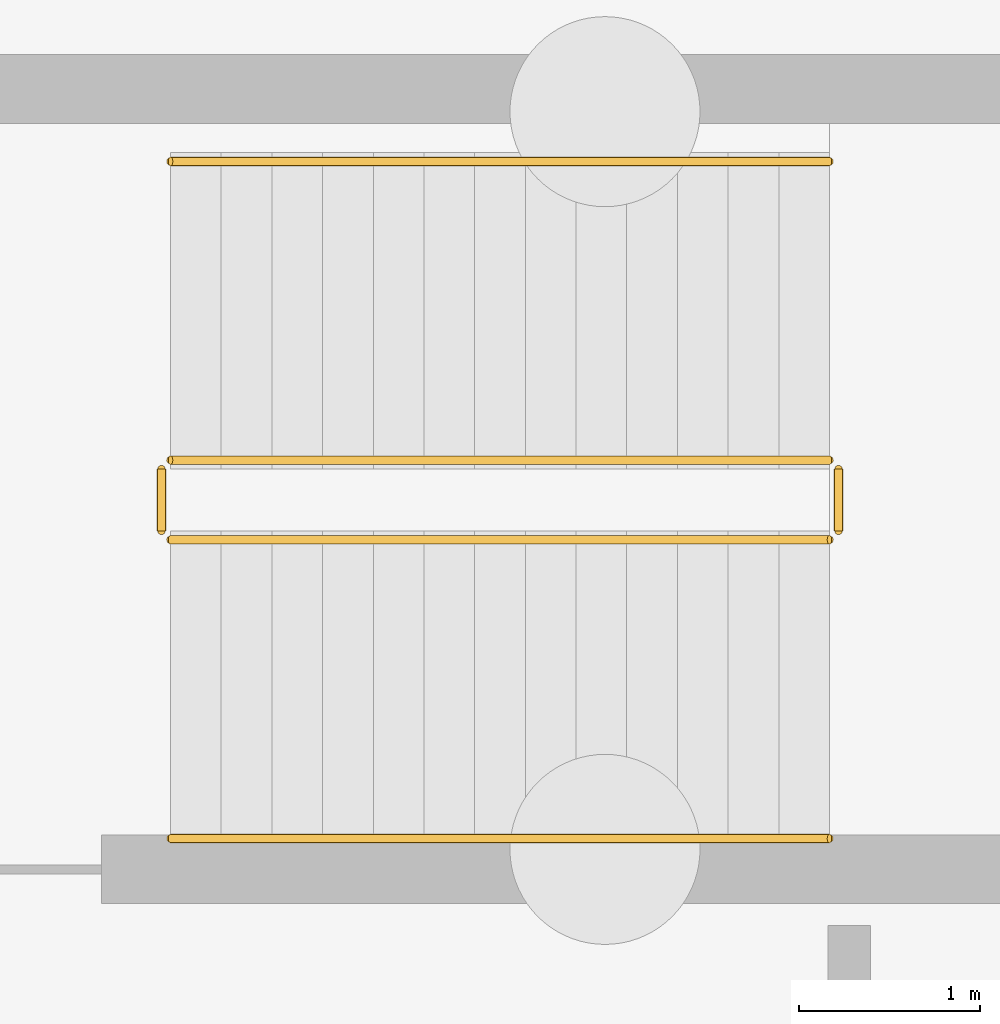
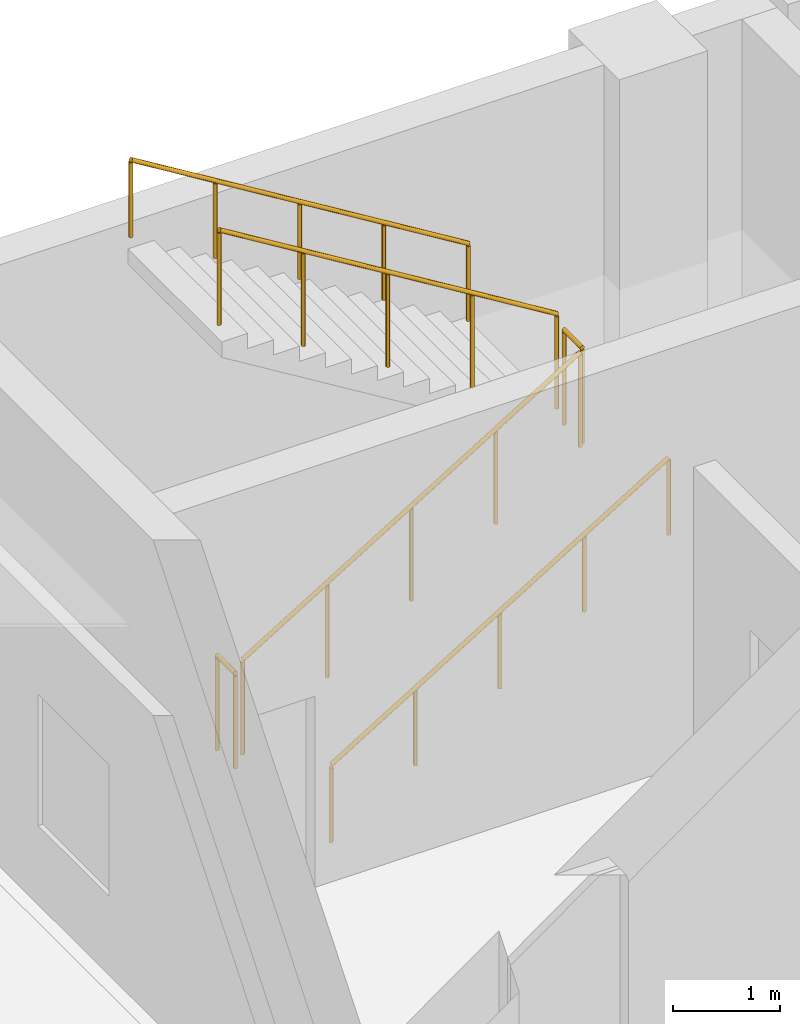
# One storey, part 11 of 12: 6 railings.
"""IFC4 building model written with IfcOpenShell, lengths in metres."""

from ifc_helpers import new_model, si_unit, direction, frame, origin, origin_2d, place, context, subcontext, project, spatial, circle, extrude, material, layer, layer_set, type_object, element, save


model = new_model("IFC4")

# Units and contexts
model_context = context("Model", 3, precision=1e-05, world=origin(), true_north=direction((0.0, 1.0)))
body_context = subcontext(model_context, "Body", "Model", "MODEL_VIEW")
ifc_project = project(units=[si_unit("LENGTHUNIT", "METRE"), si_unit("AREAUNIT", "SQUARE_METRE"), si_unit("VOLUMEUNIT", "CUBIC_METRE"), si_unit("PLANEANGLEUNIT", "RADIAN"), si_unit("MASSUNIT", "GRAM", prefix="KILO")], contexts=[model_context])

# Site, building, storey
site_placement = place(None, origin())
site = spatial("IfcSite", under=ifc_project, at=site_placement, CompositionType="ELEMENT")
building_placement = place(site_placement, origin())
building = spatial("IfcBuilding", under=site, at=building_placement, Name="Zulmaris Art Gallery", CompositionType="ELEMENT")
storey_placement = place(building_placement, frame((0.0, 0.0, -4.800048828125)))
storey = spatial("IfcBuildingStorey", under=building, at=storey_placement, Name="B1", CompositionType="ELEMENT", Elevation=-4.800048828125)

# Railings
ifc_material_1 = material(Name="Steel S355J2", Category="steel")
ifc_layer_1 = layer(ifc_material_1, 0.050048828125)
ifc_layer_set_1 = layer_set([ifc_layer_1], Name="Steel S355J2")
railing_type_1 = type_object("IfcRailingType", Name="RAIL-STGRD", PredefinedType="GUARDRAIL", material=ifc_layer_set_1)
railing_1_placement = place(storey_placement, frame((186.300048828125, 73.110107421875, 0.17138671875)))
element("IfcRailing", 1, at=railing_1_placement, inside=storey, type_object=railing_type_1, Name="B1 ST4 stair guard 1", PredefinedType="GUARDRAIL", context=body_context, shape_type="SweptSolid", body=[
    extrude(circle(Radius=0.02392578125, at=origin_2d()), frame((0.0, 0.0, 1.076171875), z_axis=(0.852824790078, 0.0, 0.522197163366), x_axis=(0.0, 1.0, 0.0)), (0.0, 0.0, 1.0), 4.26806640625),
    extrude(circle(Radius=0.02099609375, at=origin_2d()), origin(), (0.0, 0.0, 1.0), 1.052001953125),
    extrude(circle(Radius=0.02099609375, at=origin_2d()), frame((0.909912109375, 0.0, 0.55712890625)), (0.0, 0.0, 1.0), 1.052001953125),
    extrude(circle(Radius=0.02099609375, at=origin_2d()), frame((1.81982421875, 0.0, 1.1142578125)), (0.0, 0.0, 1.0), 1.052001953125),
    extrude(circle(Radius=0.02099609375, at=origin_2d()), frame((2.72998046875, 0.0, 1.671630859375)), (0.0, 0.0, 1.0), 1.052001953125),
    extrude(circle(Radius=0.02099609375, at=origin_2d()), frame((3.639892578125, 0.0, 2.228759765625)), (0.0, 0.0, 1.0), 1.052001953125),
])
railing_2_placement = place(storey_placement, frame((189.989990234375, 73.159912109375, 2.400146484375)))
element("IfcRailing", 2, at=railing_2_placement, inside=storey, type_object=railing_type_1, Name="B1 ST4 stair guard 2", PredefinedType="GUARDRAIL", context=body_context, shape_type="SweptSolid", body=[
    extrude(circle(Radius=0.02392578125, at=origin_2d()), frame((0.0, 0.0, 1.076171875), z_axis=(0.0, 1.0, 0.0), x_axis=(-1.0, 0.0, 0.0)), (0.0, 0.0, 1.0), 0.340087890625),
    extrude(circle(Radius=0.02099609375, at=origin_2d()), origin(), (0.0, 0.0, 1.0), 1.052001953125),
    extrude(circle(Radius=0.02099609375, at=origin_2d()), frame((0.0, 0.340087890625, 0.0)), (0.0, 0.0, 1.0), 1.052001953125),
])
railing_3_placement = place(storey_placement, frame((189.93994140625, 73.550048828125, 2.571533203125)))
element("IfcRailing", 3, at=railing_3_placement, inside=storey, type_object=railing_type_1, Name="B1 ST4 stair guard 3", PredefinedType="GUARDRAIL", context=body_context, shape_type="SweptSolid", body=[
    extrude(circle(Radius=0.02392578125, at=origin_2d()), frame((0.0, 0.0, 1.076171875), z_axis=(-0.852850264322, 0.0, 0.5221555579), x_axis=(0.0, -1.0, 0.0)), (0.0, 0.0, 1.0), 4.267822265625),
    extrude(circle(Radius=0.02099609375, at=origin_2d()), origin(), (0.0, 0.0, 1.0), 1.052001953125),
    extrude(circle(Radius=0.02099609375, at=origin_2d()), frame((-0.909912109375, 0.0, 0.55712890625)), (0.0, 0.0, 1.0), 1.052001953125),
    extrude(circle(Radius=0.02099609375, at=origin_2d()), frame((-1.81982421875, 0.0, 1.1142578125)), (0.0, 0.0, 1.0), 1.052001953125),
    extrude(circle(Radius=0.02099609375, at=origin_2d()), frame((-2.72998046875, 0.0, 1.67138671875)), (0.0, 0.0, 1.0), 1.052001953125),
    extrude(circle(Radius=0.02099609375, at=origin_2d()), frame((-3.639892578125, 0.0, 2.228515625)), (0.0, 0.0, 1.0), 1.052001953125),
])
railing_4_placement = place(storey_placement, frame((186.25, 73.159912109375, 0.0)))
element("IfcRailing", 4, at=railing_4_placement, inside=storey, type_object=railing_type_1, Name="B1 ST4 stair guard 4", PredefinedType="GUARDRAIL", context=body_context, shape_type="SweptSolid", body=[
    extrude(circle(Radius=0.02392578125, at=origin_2d()), frame((0.0, 0.0, 1.076171875), z_axis=(0.0, 1.0, 0.0), x_axis=(-1.0, 0.0, 0.0)), (0.0, 0.0, 1.0), 0.340087890625),
    extrude(circle(Radius=0.02099609375, at=origin_2d()), origin(), (0.0, 0.0, 1.0), 1.052001953125),
    extrude(circle(Radius=0.02099609375, at=origin_2d()), frame((0.0, 0.340087890625, 0.0)), (0.0, 0.0, 1.0), 1.052001953125),
])
ifc_material_2 = material(Name="Brushed Bronze Handrail", Category="steel")
ifc_layer_2 = layer(ifc_material_2, 0.048095703125)
ifc_layer_set_2 = layer_set([ifc_layer_2], Name="Brushed Bronze Handrail")
railing_type_2 = type_object("IfcRailingType", Name="RAIL-STHND", PredefinedType="HANDRAIL", material=ifc_layer_set_2)
railing_5_placement = place(storey_placement, frame((186.300048828125, 71.4599609375, 0.17138671875)))
element("IfcRailing", 5, at=railing_5_placement, inside=storey, type_object=railing_type_2, Name="B1 ST4 stair handrail 1", PredefinedType="HANDRAIL", context=body_context, shape_type="SweptSolid", body=[
    extrude(circle(Radius=0.02392578125, at=origin_2d()), frame((0.0, 0.0, 0.8759765625), z_axis=(0.852824790078, 0.0, 0.522197163366), x_axis=(0.0, 1.0, 0.0)), (0.0, 0.0, 1.0), 4.26806640625),
    extrude(circle(Radius=0.02099609375, at=origin_2d()), origin(), (0.0, 0.0, 1.0), 0.851806640625),
    extrude(circle(Radius=0.02099609375, at=origin_2d()), frame((0.909912109375, 0.0, 0.55712890625)), (0.0, 0.0, 1.0), 0.851806640625),
    extrude(circle(Radius=0.02099609375, at=origin_2d()), frame((1.81982421875, 0.0, 1.1142578125)), (0.0, 0.0, 1.0), 0.851806640625),
    extrude(circle(Radius=0.02099609375, at=origin_2d()), frame((2.72998046875, 0.0, 1.671630859375)), (0.0, 0.0, 1.0), 0.851806640625),
    extrude(circle(Radius=0.02099609375, at=origin_2d()), frame((3.639892578125, 0.0, 2.228759765625)), (0.0, 0.0, 1.0), 0.851806640625),
])
railing_6_placement = place(storey_placement, frame((189.93994140625, 75.199951171875, 2.571533203125)))
element("IfcRailing", 6, at=railing_6_placement, inside=storey, type_object=railing_type_2, Name="B1 ST4 stair handrail 2", PredefinedType="HANDRAIL", context=body_context, shape_type="SweptSolid", body=[
    extrude(circle(Radius=0.02392578125, at=origin_2d()), frame((0.0, 0.0, 0.8759765625), z_axis=(-0.852850264322, 0.0, 0.5221555579), x_axis=(0.0, -1.0, 0.0)), (0.0, 0.0, 1.0), 4.267822265625),
    extrude(circle(Radius=0.02099609375, at=origin_2d()), origin(), (0.0, 0.0, 1.0), 0.851806640625),
    extrude(circle(Radius=0.02099609375, at=origin_2d()), frame((-0.909912109375, 0.0, 0.55712890625)), (0.0, 0.0, 1.0), 0.851806640625),
    extrude(circle(Radius=0.02099609375, at=origin_2d()), frame((-1.81982421875, 0.0, 1.1142578125)), (0.0, 0.0, 1.0), 0.851806640625),
    extrude(circle(Radius=0.02099609375, at=origin_2d()), frame((-2.72998046875, 0.0, 1.67138671875)), (0.0, 0.0, 1.0), 0.851806640625),
    extrude(circle(Radius=0.02099609375, at=origin_2d()), frame((-3.639892578125, 0.0, 2.228515625)), (0.0, 0.0, 1.0), 0.851806640625),
])

save(model, "model.ifc")
